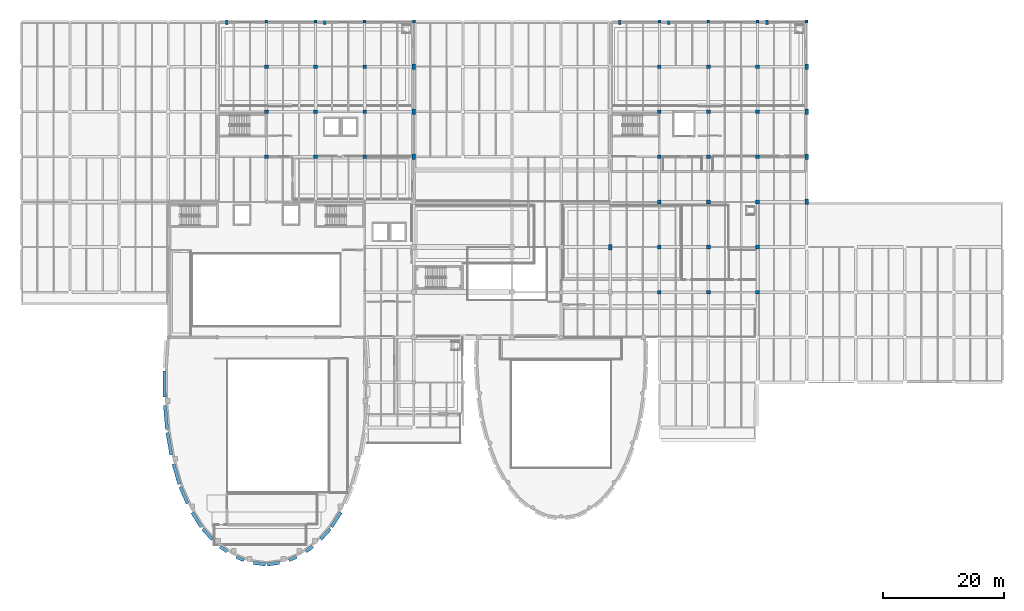
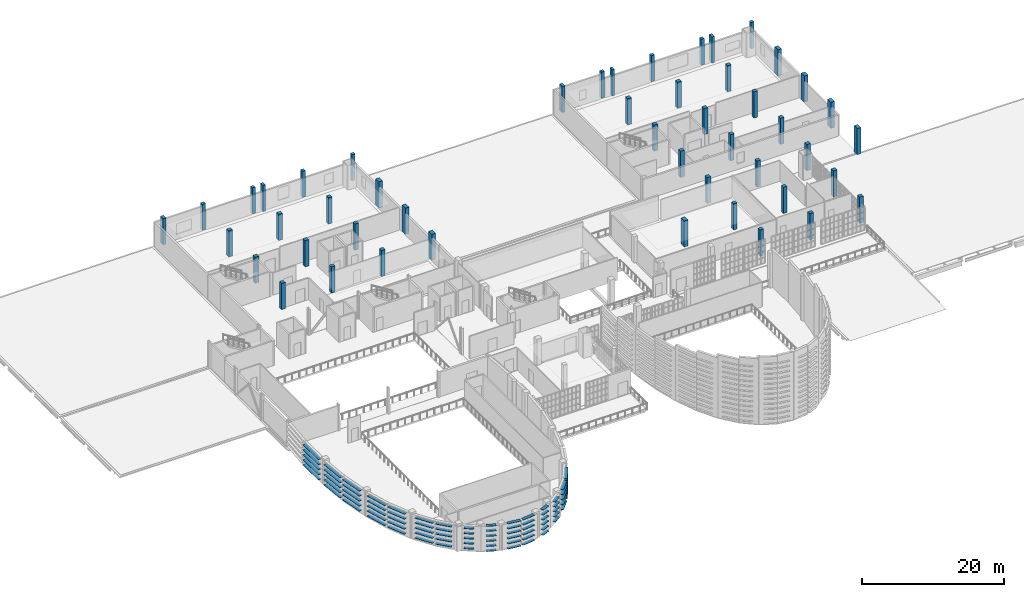
# One storey, part 5 of 73: 79 members, 48 columns.
"""IFC4 building model written with IfcOpenShell, lengths in metres."""

from ifc_helpers import new_model, si_unit, direction, frame, origin, origin_2d, place, context, subcontext, project, spatial, rectangle, hollow_rectangle, extrude, material, material_profile, profile_set, type_object, element, save


model = new_model("IFC4")

# Units and contexts
model_context = context("Model", 3, precision=1e-05, world=origin(), true_north=direction((0.0, 1.0)))
body_context = subcontext(model_context, "Body", "Model", "MODEL_VIEW")
ifc_project = project(units=[si_unit("LENGTHUNIT", "METRE"), si_unit("AREAUNIT", "SQUARE_METRE"), si_unit("VOLUMEUNIT", "CUBIC_METRE"), si_unit("PLANEANGLEUNIT", "RADIAN"), si_unit("MASSUNIT", "GRAM", prefix="KILO")], contexts=[model_context])

# Site, building, storey
site_placement = place(None, origin())
site = spatial("IfcSite", under=ifc_project, at=site_placement, CompositionType="ELEMENT")
building_placement = place(site_placement, origin())
building = spatial("IfcBuilding", under=site, at=building_placement, Name="Kaelora Sail Theatre", CompositionType="ELEMENT")
storey_placement = place(building_placement, frame((0.0, 0.0, 10.199951171875)))
storey = spatial("IfcBuildingStorey", under=building, at=storey_placement, Name="L02", CompositionType="ELEMENT", Elevation=10.199951171875)

# Columns
ifc_material_1 = material(Name="Concrete C40/50", Category="concrete")
ifc_material_profile_1 = material_profile(ifc_material_1, rectangle(XDim=0.5, YDim=0.5, at=origin_2d()), Name="RC-COL 500x500")
ifc_profile_set_1 = profile_set([ifc_material_profile_1], Name="Concrete C40/50")
column_type_1 = type_object("IfcColumnType", Name="STR-COL-C-RC500", PredefinedType="COLUMN", material=ifc_profile_set_1)
for number, where, z_axis, x_axis, name in (
    (1, (42.0, 113.10009765625, 0.0), (0.0, 0.0, 1.0), (1.0, 0.0, 0.0), "Column 6/P (L02)"),
    (2, (50.10009765625, 113.10009765625, 0.0), (0.0, 0.0, 1.0), (1.0, 0.0, 0.0), "Column 7/P (L02)"),
    (3, (58.199951171875, 113.10009765625, 0.0), (0.0, 0.0, 1.0), (1.0, 0.0, 0.0), "Column 8/P (L02)"),
    (4, (66.300048828125, 113.10009765625, 0.0), (0.0, 0.0, 1.0), (1.0, 0.0, 0.0), "Column 9/P (L02)"),
    (5, (106.800048828125, 113.10009765625, 0.0), (0.0, 0.0, 1.0), (1.0, 0.0, 0.0), "Column 14/P (L02)"),
    (6, (114.89990234375, 113.10009765625, 0.0), (0.0, 0.0, 1.0), (1.0, 0.0, 0.0), "Column 15/P (L02)"),
    (7, (123.0, 113.10009765625, 0.0), (0.0, 0.0, 1.0), (1.0, 0.0, 0.0), "Column 16/P (L02)"),
    (8, (131.10009765625, 113.10009765625, 0.0), (0.0, 0.0, 1.0), (1.0, 0.0, 0.0), "Column 17/P (L02)"),
):
    element("IfcColumn", number, at=place(storey_placement, frame(where, z_axis=z_axis, x_axis=x_axis)), inside=storey, type_object=column_type_1, Name=name, PredefinedType="COLUMN", context=body_context, shape_type="SweptSolid", body=[
        extrude(rectangle(XDim=0.5, YDim=0.5, at=origin_2d()), origin(), (0.0, 0.0, 1.0), 4.5),
    ])
ifc_material_2 = material(Name="Concrete C40/50", Category="concrete")
ifc_material_profile_2 = material_profile(ifc_material_2, rectangle(XDim=0.60009765625, YDim=0.60009765625, at=origin_2d()), Name="RC-COL 600x600")
ifc_profile_set_2 = profile_set([ifc_material_profile_2], Name="Concrete C40/50")
column_type_2 = type_object("IfcColumnType", Name="STR-COL-C-RC600", PredefinedType="COLUMN", material=ifc_profile_set_2)
for number, where, z_axis, x_axis, name in (
    (9, (42.0, 90.780029296875, 0.0), (0.0, 0.0, 1.0), (1.0, 0.0, 0.0), "Column 6/M (L02)"),
    (10, (42.0, 98.219970703125, 0.0), (0.0, 0.0, 1.0), (1.0, 0.0, 0.0), "Column 6/N (L02)"),
    (11, (42.0, 105.659912109375, 0.0), (0.0, 0.0, 1.0), (1.0, 0.0, 0.0), "Column 6/O (L02)"),
    (12, (50.10009765625, 90.780029296875, 0.0), (0.0, 0.0, 1.0), (1.0, 0.0, 0.0), "Column 7/M (L02)"),
    (13, (50.10009765625, 98.219970703125, 0.0), (0.0, 0.0, 1.0), (1.0, 0.0, 0.0), "Column 7/N (L02)"),
    (14, (50.10009765625, 105.659912109375, 0.0), (0.0, 0.0, 1.0), (1.0, 0.0, 0.0), "Column 7/O (L02)"),
    (15, (58.199951171875, 90.780029296875, 0.0), (0.0, 0.0, 1.0), (1.0, 0.0, 0.0), "Column 8/M (L02)"),
    (16, (58.199951171875, 98.219970703125, 0.0), (0.0, 0.0, 1.0), (1.0, 0.0, 0.0), "Column 8/N (L02)"),
    (17, (58.199951171875, 105.659912109375, 0.0), (0.0, 0.0, 1.0), (1.0, 0.0, 0.0), "Column 8/O (L02)"),
    (18, (106.800048828125, 68.4599609375, 0.0), (0.0, 0.0, 1.0), (1.0, 0.0, 0.0), "Column 14/J (L02)"),
    (19, (106.800048828125, 75.89990234375, 0.0), (0.0, 0.0, 1.0), (1.0, 0.0, 0.0), "Column 14/K (L02)"),
    (20, (106.800048828125, 83.340087890625, 0.0), (0.0, 0.0, 1.0), (1.0, 0.0, 0.0), "Column 14/L (L02)"),
    (21, (106.800048828125, 90.780029296875, 0.0), (0.0, 0.0, 1.0), (1.0, 0.0, 0.0), "Column 14/M (L02)"),
    (22, (106.800048828125, 98.219970703125, 0.0), (0.0, 0.0, 1.0), (1.0, 0.0, 0.0), "Column 14/N (L02)"),
    (23, (106.800048828125, 105.659912109375, 0.0), (0.0, 0.0, 1.0), (1.0, 0.0, 0.0), "Column 14/O (L02)"),
    (24, (114.89990234375, 68.4599609375, 0.0), (0.0, 0.0, 1.0), (1.0, 0.0, 0.0), "Column 15/J (L02)"),
    (25, (114.89990234375, 75.89990234375, 0.0), (0.0, 0.0, 1.0), (1.0, 0.0, 0.0), "Column 15/K (L02)"),
    (26, (114.89990234375, 83.340087890625, 0.0), (0.0, 0.0, 1.0), (1.0, 0.0, 0.0), "Column 15/L (L02)"),
    (27, (114.89990234375, 90.780029296875, 0.0), (0.0, 0.0, 1.0), (1.0, 0.0, 0.0), "Column 15/M (L02)"),
    (28, (114.89990234375, 98.219970703125, 0.0), (0.0, 0.0, 1.0), (1.0, 0.0, 0.0), "Column 15/N (L02)"),
    (29, (114.89990234375, 105.659912109375, 0.0), (0.0, 0.0, 1.0), (1.0, 0.0, 0.0), "Column 15/O (L02)"),
    (30, (123.0, 68.4599609375, 0.0), (0.0, 0.0, 1.0), (1.0, 0.0, 0.0), "Column 16/J (L02)"),
    (31, (123.0, 75.89990234375, 0.0), (0.0, 0.0, 1.0), (1.0, 0.0, 0.0), "Column 16/K (L02)"),
    (32, (123.0, 83.340087890625, 0.0), (0.0, 0.0, 1.0), (1.0, 0.0, 0.0), "Column 16/L (L02)"),
    (33, (123.0, 90.780029296875, 0.0), (0.0, 0.0, 1.0), (1.0, 0.0, 0.0), "Column 16/M (L02)"),
    (34, (123.0, 98.219970703125, 0.0), (0.0, 0.0, 1.0), (1.0, 0.0, 0.0), "Column 16/N (L02)"),
    (35, (123.0, 105.659912109375, 0.0), (0.0, 0.0, 1.0), (1.0, 0.0, 0.0), "Column 16/O (L02)"),
):
    element("IfcColumn", number, at=place(storey_placement, frame(where, z_axis=z_axis, x_axis=x_axis)), inside=storey, type_object=column_type_2, Name=name, PredefinedType="COLUMN", context=body_context, shape_type="SweptSolid", body=[
        extrude(rectangle(XDim=0.60009765625, YDim=0.60009765625, at=origin_2d()), origin(), (0.0, 0.0, 1.0), 4.5),
    ])
ifc_material_3 = material(Name="Concrete C45/55", Category="concrete")
ifc_material_profile_3 = material_profile(ifc_material_3, rectangle(XDim=0.60009765625, YDim=0.89990234375, at=origin_2d()), Name="RC-COL 600x900")
ifc_profile_set_3 = profile_set([ifc_material_profile_3], Name="Concrete C45/55")
column_type_3 = type_object("IfcColumnType", Name="STR-COL-C-RC6090", PredefinedType="COLUMN", material=ifc_profile_set_3)
for number, where, z_axis, x_axis, name in (
    (36, (66.300048828125, 90.780029296875, 0.0), (0.0, 0.0, 1.0), (1.0, 0.0, 0.0), "Column 9/M (L02)"),
    (37, (66.300048828125, 98.219970703125, 0.0), (0.0, 0.0, 1.0), (1.0, 0.0, 0.0), "Column 9/N (L02)"),
    (38, (66.300048828125, 105.659912109375, 0.0), (0.0, 0.0, 1.0), (1.0, 0.0, 0.0), "Column 9/O (L02)"),
    (39, (98.699951171875, 75.89990234375, 0.0), (0.0, 0.0, 1.0), (1.0, 0.0, 0.0), "Column 13/K (L02)"),
    (40, (131.10009765625, 83.340087890625, 0.0), (0.0, 0.0, 1.0), (1.0, 0.0, 0.0), "Column 17/L (L02)"),
    (41, (131.10009765625, 90.780029296875, 0.0), (0.0, 0.0, 1.0), (1.0, 0.0, 0.0), "Column 17/M (L02)"),
    (42, (131.10009765625, 98.219970703125, 0.0), (0.0, 0.0, 1.0), (1.0, 0.0, 0.0), "Column 17/N (L02)"),
    (43, (131.10009765625, 105.659912109375, 0.0), (0.0, 0.0, 1.0), (1.0, 0.0, 0.0), "Column 17/O (L02)"),
):
    element("IfcColumn", number, at=place(storey_placement, frame(where, z_axis=z_axis, x_axis=x_axis)), inside=storey, type_object=column_type_3, Name=name, PredefinedType="COLUMN", context=body_context, shape_type="SweptSolid", body=[
        extrude(rectangle(XDim=0.60009765625, YDim=0.89990234375, at=origin_2d()), origin(), (0.0, 0.0, 1.0), 4.5),
    ])
ifc_material_4 = material(Name="Precast concrete C45/55", Category="concrete")
ifc_material_profile_4 = material_profile(ifc_material_4, rectangle(XDim=0.39990234375, YDim=0.64990234375, at=origin_2d()), Name="RC-PIL 400x650")
ifc_profile_set_4 = profile_set([ifc_material_profile_4], Name="Precast concrete C45/55")
column_type_4 = type_object("IfcColumnType", Name="STR-COL-PL-RC4065", PredefinedType="PILASTER", material=ifc_profile_set_4)
for number, where, z_axis, x_axis, name in (
    (44, (51.64990234375, 112.949951171875, 0.0), (0.0, 0.0, 1.0), (1.0, 0.0, 0.0), "Postmodern terracotta precast pilaster L02 N04"),
    (45, (108.35009765625, 112.949951171875, 0.0), (0.0, 0.0, 1.0), (1.0, 0.0, 0.0), "Postmodern terracotta precast pilaster L02 N08"),
):
    element("IfcColumn", number, at=place(storey_placement, frame(where, z_axis=z_axis, x_axis=x_axis)), inside=storey, type_object=column_type_4, Name=name, PredefinedType="PILASTER", context=body_context, shape_type="SweptSolid", body=[
        extrude(rectangle(XDim=0.39990234375, YDim=0.64990234375, at=origin_2d()), origin(), (0.0, 0.0, 1.0), 4.5),
    ])
ifc_material_5 = material(Name="Precast concrete C45/55", Category="concrete")
ifc_material_profile_5 = material_profile(ifc_material_5, rectangle(XDim=0.449951171875, YDim=0.75, at=origin_2d()), Name="RC-PIL 450x750")
ifc_profile_set_5 = profile_set([ifc_material_profile_5], Name="Precast concrete C45/55")
column_type_5 = type_object("IfcColumnType", Name="STR-COL-PL-RC4575", PredefinedType="PILASTER", material=ifc_profile_set_5)
for number, where, z_axis, x_axis, name in (
    (46, (35.449951171875, 112.949951171875, 0.0), (0.0, 0.0, 1.0), (1.0, 0.0, 0.0), "Postmodern terracotta precast pilaster L02 N03"),
    (47, (100.25, 112.949951171875, 0.0), (0.0, 0.0, 1.0), (1.0, 0.0, 0.0), "Postmodern terracotta precast pilaster L02 N07"),
    (48, (124.550048828125, 112.949951171875, 0.0), (0.0, 0.0, 1.0), (1.0, 0.0, 0.0), "Postmodern terracotta precast pilaster L02 N09"),
):
    element("IfcColumn", number, at=place(storey_placement, frame(where, z_axis=z_axis, x_axis=x_axis)), inside=storey, type_object=column_type_5, Name=name, PredefinedType="PILASTER", context=body_context, shape_type="SweptSolid", body=[
        extrude(rectangle(XDim=0.449951171875, YDim=0.75, at=origin_2d()), origin(), (0.0, 0.0, 1.0), 4.5),
    ])

# Members
ifc_material_6 = material(Name="Anodised aluminium 6063-T6", Category="aluminium")
ifc_material_profile_6 = material_profile(ifc_material_6, hollow_rectangle(XDim=0.550048828125, YDim=0.06494140625, WallThickness=0.00390625, InnerFilletRadius=0.00390625, OuterFilletRadius=0.008056640625, at=origin_2d()), Name="LOUVRE 550x65x4")
ifc_profile_set_6 = profile_set([ifc_material_profile_6], Name="Anodised aluminium 6063-T6")
member_type = type_object("IfcMemberType", Name="ARC-MEM-LVR-300", PredefinedType="USERDEFINED", material=ifc_profile_set_6)
for number, where, z_axis, x_axis, name in (
    (49, (54.230712890625, 32.12451171875, 0.510009765625), (-0.531266918629, -0.847204497846, 0.0), (0.847204497846, -0.531266918629, 0.0), "Main Theatre Sail Drum horizontal solar louvre C7-12"),
    (50, (54.230712890625, 32.12451171875, 1.3701171875), (-0.531266918629, -0.847204497846, 0.0), (0.847204497846, -0.531266918629, 0.0), "Main Theatre Sail Drum horizontal solar louvre C7-13"),
    (51, (54.230712890625, 32.12451171875, 2.22998046875), (-0.531266918629, -0.847204497846, 0.0), (0.847204497846, -0.531266918629, 0.0), "Main Theatre Sail Drum horizontal solar louvre C7-14"),
    (52, (54.230712890625, 32.12451171875, 3.090087890625), (-0.531266918629, -0.847204497846, 0.0), (0.847204497846, -0.531266918629, 0.0), "Main Theatre Sail Drum horizontal solar louvre C7-15"),
    (53, (54.230712890625, 32.12451171875, 3.949951171875), (-0.531266918629, -0.847204497846, 0.0), (0.847204497846, -0.531266918629, 0.0), "Main Theatre Sail Drum horizontal solar louvre C7-16"),
):
    element("IfcMember", number, at=place(storey_placement, frame(where, z_axis=z_axis, x_axis=x_axis)), inside=storey, type_object=member_type, Name=name, ObjectType="LOUVRE", PredefinedType="USERDEFINED", context=body_context, shape_type="SweptSolid", body=[
        extrude(hollow_rectangle(XDim=0.550048828125, YDim=0.06494140625, WallThickness=0.00390625, InnerFilletRadius=0.00390625, OuterFilletRadius=0.008056640625, at=origin_2d()), origin(), (0.0, 0.0, 1.0), 2.81982421875),
    ])
for number, where, z_axis, x_axis, name in (
    (54, (52.48779296875, 29.41015625, 0.510009765625), (-0.671589400994, -0.740923529437, 0.0), (0.740923529437, -0.671589400994, 0.0), "Main Theatre Sail Drum horizontal solar louvre C8-12"),
    (55, (52.48779296875, 29.41015625, 1.3701171875), (-0.671589400994, -0.740923529437, 0.0), (0.740923529437, -0.671589400994, 0.0), "Main Theatre Sail Drum horizontal solar louvre C8-13"),
    (56, (52.48779296875, 29.41015625, 2.22998046875), (-0.671589400994, -0.740923529437, 0.0), (0.740923529437, -0.671589400994, 0.0), "Main Theatre Sail Drum horizontal solar louvre C8-14"),
    (57, (52.48779296875, 29.41015625, 3.090087890625), (-0.671589400994, -0.740923529437, 0.0), (0.740923529437, -0.671589400994, 0.0), "Main Theatre Sail Drum horizontal solar louvre C8-15"),
    (58, (52.48779296875, 29.41015625, 3.949951171875), (-0.671589400994, -0.740923529437, 0.0), (0.740923529437, -0.671589400994, 0.0), "Main Theatre Sail Drum horizontal solar louvre C8-16"),
):
    element("IfcMember", number, at=place(storey_placement, frame(where, z_axis=z_axis, x_axis=x_axis)), inside=storey, type_object=member_type, Name=name, ObjectType="LOUVRE", PredefinedType="USERDEFINED", context=body_context, shape_type="SweptSolid", body=[
        extrude(hollow_rectangle(XDim=0.550048828125, YDim=0.06494140625, WallThickness=0.00390625, InnerFilletRadius=0.00390625, OuterFilletRadius=0.008056640625, at=origin_2d()), origin(), (0.0, 0.0, 1.0), 2.33447265625),
    ])
for number, where, z_axis, x_axis, name in (
    (59, (49.636962890625, 26.50634765625, 0.510009765625), (-0.808991251883, -0.587820682162, 0.0), (0.587820682162, -0.808991251883, 0.0), "Main Theatre Sail Drum horizontal solar louvre C9-12"),
    (60, (49.636962890625, 26.50634765625, 1.3701171875), (-0.808991251883, -0.587820682162, 0.0), (0.587820682162, -0.808991251883, 0.0), "Main Theatre Sail Drum horizontal solar louvre C9-13"),
    (61, (49.636962890625, 26.50634765625, 2.22998046875), (-0.808991251883, -0.587820682162, 0.0), (0.587820682162, -0.808991251883, 0.0), "Main Theatre Sail Drum horizontal solar louvre C9-14"),
    (62, (49.636962890625, 26.50634765625, 3.090087890625), (-0.808991251883, -0.587820682162, 0.0), (0.587820682162, -0.808991251883, 0.0), "Main Theatre Sail Drum horizontal solar louvre C9-15"),
    (63, (49.636962890625, 26.50634765625, 3.949951171875), (-0.808991251883, -0.587820682162, 0.0), (0.587820682162, -0.808991251883, 0.0), "Main Theatre Sail Drum horizontal solar louvre C9-16"),
):
    element("IfcMember", number, at=place(storey_placement, frame(where, z_axis=z_axis, x_axis=x_axis)), inside=storey, type_object=member_type, Name=name, ObjectType="LOUVRE", PredefinedType="USERDEFINED", context=body_context, shape_type="SweptSolid", body=[
        extrude(hollow_rectangle(XDim=0.550048828125, YDim=0.06494140625, WallThickness=0.00390625, InnerFilletRadius=0.00390625, OuterFilletRadius=0.008056640625, at=origin_2d()), origin(), (0.0, 0.0, 1.0), 1.40625),
    ])
for number, where, z_axis, x_axis, name in (
    (64, (46.971435546875, 24.78955078125, 0.130126953125), (-0.923925927829, -0.382571404949, 0.0), (0.382571404949, -0.923925927829, 0.0), "Main Theatre Sail Drum horizontal solar louvre C10-09"),
    (65, (46.971435546875, 24.78955078125, 0.989990234375), (-0.923925927829, -0.382571404949, 0.0), (0.382571404949, -0.923925927829, 0.0), "Main Theatre Sail Drum horizontal solar louvre C10-10"),
    (66, (46.971435546875, 24.78955078125, 1.85009765625), (-0.923925927829, -0.382571404949, 0.0), (0.382571404949, -0.923925927829, 0.0), "Main Theatre Sail Drum horizontal solar louvre C10-11"),
    (67, (46.971435546875, 24.78955078125, 2.7099609375), (-0.923925927829, -0.382571404949, 0.0), (0.382571404949, -0.923925927829, 0.0), "Main Theatre Sail Drum horizontal solar louvre C10-12"),
    (68, (46.971435546875, 24.78955078125, 3.570068359375), (-0.923925927829, -0.382571404949, 0.0), (0.382571404949, -0.923925927829, 0.0), "Main Theatre Sail Drum horizontal solar louvre C10-13"),
    (69, (46.971435546875, 24.78955078125, 4.429931640625), (-0.923925927829, -0.382571404949, 0.0), (0.382571404949, -0.923925927829, 0.0), "Main Theatre Sail Drum horizontal solar louvre C10-14"),
):
    element("IfcMember", number, at=place(storey_placement, frame(where, z_axis=z_axis, x_axis=x_axis)), inside=storey, type_object=member_type, Name=name, ObjectType="LOUVRE", PredefinedType="USERDEFINED", context=body_context, shape_type="SweptSolid", body=[
        extrude(hollow_rectangle(XDim=0.550048828125, YDim=0.06494140625, WallThickness=0.00390625, InnerFilletRadius=0.00390625, OuterFilletRadius=0.008056640625, at=origin_2d()), origin(), (0.0, 0.0, 1.0), 1.37451171875),
    ])
for number, where, z_axis, x_axis, name in (
    (70, (44.1484375, 23.82666015625, 0.130126953125), (-0.991052229698, -0.133474634331, 0.0), (0.133474634331, -0.991052229698, 0.0), "Main Theatre Sail Drum horizontal solar louvre C11-09"),
    (71, (44.1484375, 23.82666015625, 0.989990234375), (-0.991052229698, -0.133474634331, 0.0), (0.133474634331, -0.991052229698, 0.0), "Main Theatre Sail Drum horizontal solar louvre C11-10"),
    (72, (44.1484375, 23.82666015625, 1.85009765625), (-0.991052229698, -0.133474634331, 0.0), (0.133474634331, -0.991052229698, 0.0), "Main Theatre Sail Drum horizontal solar louvre C11-11"),
    (73, (44.1484375, 23.82666015625, 2.7099609375), (-0.991052229698, -0.133474634331, 0.0), (0.133474634331, -0.991052229698, 0.0), "Main Theatre Sail Drum horizontal solar louvre C11-12"),
    (74, (44.1484375, 23.82666015625, 3.570068359375), (-0.991052229698, -0.133474634331, 0.0), (0.133474634331, -0.991052229698, 0.0), "Main Theatre Sail Drum horizontal solar louvre C11-13"),
    (75, (44.1484375, 23.82666015625, 4.429931640625), (-0.991052229698, -0.133474634331, 0.0), (0.133474634331, -0.991052229698, 0.0), "Main Theatre Sail Drum horizontal solar louvre C11-14"),
    (76, (41.822021484375, 23.561279296875, 0.130126953125), (-0.991052229698, 0.133474634331, 0.0), (-0.133474634331, -0.991052229698, 0.0), "Main Theatre Sail Drum horizontal solar louvre C12-09"),
    (77, (41.822021484375, 23.561279296875, 0.989990234375), (-0.991052229698, 0.133474634331, 0.0), (-0.133474634331, -0.991052229698, 0.0), "Main Theatre Sail Drum horizontal solar louvre C12-10"),
    (78, (41.822021484375, 23.561279296875, 1.85009765625), (-0.991052229698, 0.133474634331, 0.0), (-0.133474634331, -0.991052229698, 0.0), "Main Theatre Sail Drum horizontal solar louvre C12-11"),
    (79, (41.822021484375, 23.561279296875, 2.7099609375), (-0.991052229698, 0.133474634331, 0.0), (-0.133474634331, -0.991052229698, 0.0), "Main Theatre Sail Drum horizontal solar louvre C12-12"),
    (80, (41.822021484375, 23.561279296875, 3.570068359375), (-0.991052229698, 0.133474634331, 0.0), (-0.133474634331, -0.991052229698, 0.0), "Main Theatre Sail Drum horizontal solar louvre C12-13"),
    (81, (41.822021484375, 23.561279296875, 4.429931640625), (-0.991052229698, 0.133474634331, 0.0), (-0.133474634331, -0.991052229698, 0.0), "Main Theatre Sail Drum horizontal solar louvre C12-14"),
):
    element("IfcMember", number, at=place(storey_placement, frame(where, z_axis=z_axis, x_axis=x_axis)), inside=storey, type_object=member_type, Name=name, ObjectType="LOUVRE", PredefinedType="USERDEFINED", context=body_context, shape_type="SweptSolid", body=[
        extrude(hollow_rectangle(XDim=0.550048828125, YDim=0.06494140625, WallThickness=0.00390625, InnerFilletRadius=0.00390625, OuterFilletRadius=0.008056640625, at=origin_2d()), origin(), (0.0, 0.0, 1.0), 1.98828125),
    ])
for number, where, z_axis, x_axis, name in (
    (82, (38.298583984375, 24.263671875, 0.130126953125), (-0.923925927829, 0.382571404949, 0.0), (-0.382571404949, -0.923925927829, 0.0), "Main Theatre Sail Drum horizontal solar louvre C13-09"),
    (83, (38.298583984375, 24.263671875, 0.989990234375), (-0.923925927829, 0.382571404949, 0.0), (-0.382571404949, -0.923925927829, 0.0), "Main Theatre Sail Drum horizontal solar louvre C13-10"),
    (84, (38.298583984375, 24.263671875, 1.85009765625), (-0.923925927829, 0.382571404949, 0.0), (-0.382571404949, -0.923925927829, 0.0), "Main Theatre Sail Drum horizontal solar louvre C13-11"),
    (85, (38.298583984375, 24.263671875, 2.7099609375), (-0.923925927829, 0.382571404949, 0.0), (-0.382571404949, -0.923925927829, 0.0), "Main Theatre Sail Drum horizontal solar louvre C13-12"),
    (86, (38.298583984375, 24.263671875, 3.570068359375), (-0.923925927829, 0.382571404949, 0.0), (-0.382571404949, -0.923925927829, 0.0), "Main Theatre Sail Drum horizontal solar louvre C13-13"),
    (87, (38.298583984375, 24.263671875, 4.429931640625), (-0.923925927829, 0.382571404949, 0.0), (-0.382571404949, -0.923925927829, 0.0), "Main Theatre Sail Drum horizontal solar louvre C13-14"),
):
    element("IfcMember", number, at=place(storey_placement, frame(where, z_axis=z_axis, x_axis=x_axis)), inside=storey, type_object=member_type, Name=name, ObjectType="LOUVRE", PredefinedType="USERDEFINED", context=body_context, shape_type="SweptSolid", body=[
        extrude(hollow_rectangle(XDim=0.550048828125, YDim=0.06494140625, WallThickness=0.00390625, InnerFilletRadius=0.00390625, OuterFilletRadius=0.008056640625, at=origin_2d()), origin(), (0.0, 0.0, 1.0), 1.37451171875),
    ])
for number, where, z_axis, x_axis, name in (
    (88, (35.500732421875, 25.6796875, 0.510009765625), (-0.808991251883, 0.587820682162, 0.0), (-0.587820682162, -0.808991251883, 0.0), "Main Theatre Sail Drum horizontal solar louvre C14-12"),
    (89, (35.500732421875, 25.6796875, 1.3701171875), (-0.808991251883, 0.587820682162, 0.0), (-0.587820682162, -0.808991251883, 0.0), "Main Theatre Sail Drum horizontal solar louvre C14-13"),
    (90, (35.500732421875, 25.6796875, 2.22998046875), (-0.808991251883, 0.587820682162, 0.0), (-0.587820682162, -0.808991251883, 0.0), "Main Theatre Sail Drum horizontal solar louvre C14-14"),
    (91, (35.500732421875, 25.6796875, 3.090087890625), (-0.808991251883, 0.587820682162, 0.0), (-0.587820682162, -0.808991251883, 0.0), "Main Theatre Sail Drum horizontal solar louvre C14-15"),
    (92, (35.500732421875, 25.6796875, 3.949951171875), (-0.808991251883, 0.587820682162, 0.0), (-0.587820682162, -0.808991251883, 0.0), "Main Theatre Sail Drum horizontal solar louvre C14-16"),
):
    element("IfcMember", number, at=place(storey_placement, frame(where, z_axis=z_axis, x_axis=x_axis)), inside=storey, type_object=member_type, Name=name, ObjectType="LOUVRE", PredefinedType="USERDEFINED", context=body_context, shape_type="SweptSolid", body=[
        extrude(hollow_rectangle(XDim=0.550048828125, YDim=0.06494140625, WallThickness=0.00390625, InnerFilletRadius=0.00390625, OuterFilletRadius=0.008056640625, at=origin_2d()), origin(), (0.0, 0.0, 1.0), 1.40625),
    ])
for number, where, z_axis, x_axis, name in (
    (93, (33.080078125, 27.680419921875, 0.510009765625), (-0.671589400994, 0.740923529437, 0.0), (-0.740923529437, -0.671589400994, 0.0), "Main Theatre Sail Drum horizontal solar louvre C15-12"),
    (94, (33.080078125, 27.680419921875, 1.3701171875), (-0.671589400994, 0.740923529437, 0.0), (-0.740923529437, -0.671589400994, 0.0), "Main Theatre Sail Drum horizontal solar louvre C15-13"),
    (95, (33.080078125, 27.680419921875, 2.22998046875), (-0.671589400994, 0.740923529437, 0.0), (-0.740923529437, -0.671589400994, 0.0), "Main Theatre Sail Drum horizontal solar louvre C15-14"),
    (96, (33.080078125, 27.680419921875, 3.090087890625), (-0.671589400994, 0.740923529437, 0.0), (-0.740923529437, -0.671589400994, 0.0), "Main Theatre Sail Drum horizontal solar louvre C15-15"),
    (97, (33.080078125, 27.680419921875, 3.949951171875), (-0.671589400994, 0.740923529437, 0.0), (-0.740923529437, -0.671589400994, 0.0), "Main Theatre Sail Drum horizontal solar louvre C15-16"),
):
    element("IfcMember", number, at=place(storey_placement, frame(where, z_axis=z_axis, x_axis=x_axis)), inside=storey, type_object=member_type, Name=name, ObjectType="LOUVRE", PredefinedType="USERDEFINED", context=body_context, shape_type="SweptSolid", body=[
        extrude(hollow_rectangle(XDim=0.550048828125, YDim=0.06494140625, WallThickness=0.00390625, InnerFilletRadius=0.00390625, OuterFilletRadius=0.008056640625, at=origin_2d()), origin(), (0.0, 0.0, 1.0), 2.33447265625),
    ])
for number, where, z_axis, x_axis, name in (
    (98, (31.267333984375, 29.735595703125, 0.510009765625), (-0.531266918629, 0.847204497846, 0.0), (-0.847204497846, -0.531266918629, 0.0), "Main Theatre Sail Drum horizontal solar louvre C16-12"),
    (99, (31.267333984375, 29.735595703125, 1.3701171875), (-0.531266918629, 0.847204497846, 0.0), (-0.847204497846, -0.531266918629, 0.0), "Main Theatre Sail Drum horizontal solar louvre C16-13"),
    (100, (31.267333984375, 29.735595703125, 2.22998046875), (-0.531266918629, 0.847204497846, 0.0), (-0.847204497846, -0.531266918629, 0.0), "Main Theatre Sail Drum horizontal solar louvre C16-14"),
    (101, (31.267333984375, 29.735595703125, 3.090087890625), (-0.531266918629, 0.847204497846, 0.0), (-0.847204497846, -0.531266918629, 0.0), "Main Theatre Sail Drum horizontal solar louvre C16-15"),
    (102, (31.267333984375, 29.735595703125, 3.949951171875), (-0.531266918629, 0.847204497846, 0.0), (-0.847204497846, -0.531266918629, 0.0), "Main Theatre Sail Drum horizontal solar louvre C16-16"),
):
    element("IfcMember", number, at=place(storey_placement, frame(where, z_axis=z_axis, x_axis=x_axis)), inside=storey, type_object=member_type, Name=name, ObjectType="LOUVRE", PredefinedType="USERDEFINED", context=body_context, shape_type="SweptSolid", body=[
        extrude(hollow_rectangle(XDim=0.550048828125, YDim=0.06494140625, WallThickness=0.00390625, InnerFilletRadius=0.00390625, OuterFilletRadius=0.008056640625, at=origin_2d()), origin(), (0.0, 0.0, 1.0), 2.81982421875),
    ])
for number, where, z_axis, x_axis, name in (
    (103, (28.999755859375, 33.605224609375, 0.510009765625), (-0.399228207285, 0.91685159023, 0.0), (-0.91685159023, -0.399228207285, 0.0), "Main Theatre Sail Drum horizontal solar louvre C17-12"),
    (104, (28.999755859375, 33.605224609375, 1.3701171875), (-0.399228207285, 0.91685159023, 0.0), (-0.91685159023, -0.399228207285, 0.0), "Main Theatre Sail Drum horizontal solar louvre C17-13"),
    (105, (28.999755859375, 33.605224609375, 2.22998046875), (-0.399228207285, 0.91685159023, 0.0), (-0.91685159023, -0.399228207285, 0.0), "Main Theatre Sail Drum horizontal solar louvre C17-14"),
    (106, (28.999755859375, 33.605224609375, 3.090087890625), (-0.399228207285, 0.91685159023, 0.0), (-0.91685159023, -0.399228207285, 0.0), "Main Theatre Sail Drum horizontal solar louvre C17-15"),
    (107, (28.999755859375, 33.605224609375, 3.949951171875), (-0.399228207285, 0.91685159023, 0.0), (-0.91685159023, -0.399228207285, 0.0), "Main Theatre Sail Drum horizontal solar louvre C17-16"),
):
    element("IfcMember", number, at=place(storey_placement, frame(where, z_axis=z_axis, x_axis=x_axis)), inside=storey, type_object=member_type, Name=name, ObjectType="LOUVRE", PredefinedType="USERDEFINED", context=body_context, shape_type="SweptSolid", body=[
        extrude(hollow_rectangle(XDim=0.550048828125, YDim=0.06494140625, WallThickness=0.00390625, InnerFilletRadius=0.00390625, OuterFilletRadius=0.008056640625, at=origin_2d()), origin(), (0.0, 0.0, 1.0), 3.00439453125),
    ])
for number, where, z_axis, x_axis, name in (
    (108, (27.644287109375, 36.793212890625, 0.510009765625), (-0.280281368484, 0.959917889447, 0.0), (-0.959917889447, -0.280281368484, 0.0), "Main Theatre Sail Drum horizontal solar louvre C18-12"),
    (109, (27.644287109375, 36.793212890625, 1.3701171875), (-0.280281368484, 0.959917889447, 0.0), (-0.959917889447, -0.280281368484, 0.0), "Main Theatre Sail Drum horizontal solar louvre C18-13"),
    (110, (27.644287109375, 36.793212890625, 2.22998046875), (-0.280281368484, 0.959917889447, 0.0), (-0.959917889447, -0.280281368484, 0.0), "Main Theatre Sail Drum horizontal solar louvre C18-14"),
    (111, (27.644287109375, 36.793212890625, 3.090087890625), (-0.280281368484, 0.959917889447, 0.0), (-0.959917889447, -0.280281368484, 0.0), "Main Theatre Sail Drum horizontal solar louvre C18-15"),
    (112, (27.644287109375, 36.793212890625, 3.949951171875), (-0.280281368484, 0.959917889447, 0.0), (-0.959917889447, -0.280281368484, 0.0), "Main Theatre Sail Drum horizontal solar louvre C18-16"),
):
    element("IfcMember", number, at=place(storey_placement, frame(where, z_axis=z_axis, x_axis=x_axis)), inside=storey, type_object=member_type, Name=name, ObjectType="LOUVRE", PredefinedType="USERDEFINED", context=body_context, shape_type="SweptSolid", body=[
        extrude(hollow_rectangle(XDim=0.550048828125, YDim=0.06494140625, WallThickness=0.00390625, InnerFilletRadius=0.00390625, OuterFilletRadius=0.008056640625, at=origin_2d()), origin(), (0.0, 0.0, 1.0), 3.465087890625),
    ])
for number, where, z_axis, x_axis, name in (
    (113, (26.32421875, 41.61279296875, 0.510009765625), (-0.175566335005, 0.984467603333, 0.0), (-0.984467603333, -0.175566335005, 0.0), "Main Theatre Sail Drum horizontal solar louvre C19-12"),
    (114, (26.32421875, 41.61279296875, 1.3701171875), (-0.175566335005, 0.984467603333, 0.0), (-0.984467603333, -0.175566335005, 0.0), "Main Theatre Sail Drum horizontal solar louvre C19-13"),
    (115, (26.32421875, 41.61279296875, 2.22998046875), (-0.175566335005, 0.984467603333, 0.0), (-0.984467603333, -0.175566335005, 0.0), "Main Theatre Sail Drum horizontal solar louvre C19-14"),
    (116, (26.32421875, 41.61279296875, 3.090087890625), (-0.175566335005, 0.984467603333, 0.0), (-0.984467603333, -0.175566335005, 0.0), "Main Theatre Sail Drum horizontal solar louvre C19-15"),
    (117, (26.32421875, 41.61279296875, 3.949951171875), (-0.175566335005, 0.984467603333, 0.0), (-0.984467603333, -0.175566335005, 0.0), "Main Theatre Sail Drum horizontal solar louvre C19-16"),
):
    element("IfcMember", number, at=place(storey_placement, frame(where, z_axis=z_axis, x_axis=x_axis)), inside=storey, type_object=member_type, Name=name, ObjectType="LOUVRE", PredefinedType="USERDEFINED", context=body_context, shape_type="SweptSolid", body=[
        extrude(hollow_rectangle(XDim=0.550048828125, YDim=0.06494140625, WallThickness=0.00390625, InnerFilletRadius=0.00390625, OuterFilletRadius=0.008056640625, at=origin_2d()), origin(), (0.0, 0.0, 1.0), 3.7294921875),
    ])
for number, where, z_axis, x_axis, name in (
    (118, (25.603515625, 45.791748046875, 0.510009765625), (-0.084261045618, 0.996443714512, 0.0), (-0.996443714512, -0.084261045618, 0.0), "Main Theatre Sail Drum horizontal solar louvre C20-12"),
    (119, (25.603515625, 45.791748046875, 1.3701171875), (-0.084261045618, 0.996443714512, 0.0), (-0.996443714512, -0.084261045618, 0.0), "Main Theatre Sail Drum horizontal solar louvre C20-13"),
    (120, (25.603515625, 45.791748046875, 2.22998046875), (-0.084261045618, 0.996443714512, 0.0), (-0.996443714512, -0.084261045618, 0.0), "Main Theatre Sail Drum horizontal solar louvre C20-14"),
    (121, (25.603515625, 45.791748046875, 3.090087890625), (-0.084261045618, 0.996443714512, 0.0), (-0.996443714512, -0.084261045618, 0.0), "Main Theatre Sail Drum horizontal solar louvre C20-15"),
    (122, (25.603515625, 45.791748046875, 3.949951171875), (-0.084261045618, 0.996443714512, 0.0), (-0.996443714512, -0.084261045618, 0.0), "Main Theatre Sail Drum horizontal solar louvre C20-16"),
):
    element("IfcMember", number, at=place(storey_placement, frame(where, z_axis=z_axis, x_axis=x_axis)), inside=storey, type_object=member_type, Name=name, ObjectType="LOUVRE", PredefinedType="USERDEFINED", context=body_context, shape_type="SweptSolid", body=[
        extrude(hollow_rectangle(XDim=0.550048828125, YDim=0.06494140625, WallThickness=0.00390625, InnerFilletRadius=0.00390625, OuterFilletRadius=0.008056640625, at=origin_2d()), origin(), (0.0, 0.0, 1.0), 3.972412109375),
    ])
for number, where, z_axis, x_axis, name in (
    (123, (25.2001953125, 51.141845703125, 0.510009765625), (-0.004856504733, 0.999988207111, 0.0), (-0.999988207111, -0.004856504733, 0.0), "Main Theatre Sail Drum horizontal solar louvre C21-12"),
    (124, (25.2001953125, 51.141845703125, 1.3701171875), (-0.004856504733, 0.999988207111, 0.0), (-0.999988207111, -0.004856504733, 0.0), "Main Theatre Sail Drum horizontal solar louvre C21-13"),
    (125, (25.2001953125, 51.141845703125, 2.22998046875), (-0.004856504733, 0.999988207111, 0.0), (-0.999988207111, -0.004856504733, 0.0), "Main Theatre Sail Drum horizontal solar louvre C21-14"),
    (126, (25.2001953125, 51.141845703125, 3.090087890625), (-0.004856504733, 0.999988207111, 0.0), (-0.999988207111, -0.004856504733, 0.0), "Main Theatre Sail Drum horizontal solar louvre C21-15"),
    (127, (25.2001953125, 51.141845703125, 3.949951171875), (-0.004856504733, 0.999988207111, 0.0), (-0.999988207111, -0.004856504733, 0.0), "Main Theatre Sail Drum horizontal solar louvre C21-16"),
):
    element("IfcMember", number, at=place(storey_placement, frame(where, z_axis=z_axis, x_axis=x_axis)), inside=storey, type_object=member_type, Name=name, ObjectType="LOUVRE", PredefinedType="USERDEFINED", context=body_context, shape_type="SweptSolid", body=[
        extrude(hollow_rectangle(XDim=0.550048828125, YDim=0.06494140625, WallThickness=0.00390625, InnerFilletRadius=0.00390625, OuterFilletRadius=0.008056640625, at=origin_2d()), origin(), (0.0, 0.0, 1.0), 4.3232421875),
    ])

save(model, "model.ifc")
